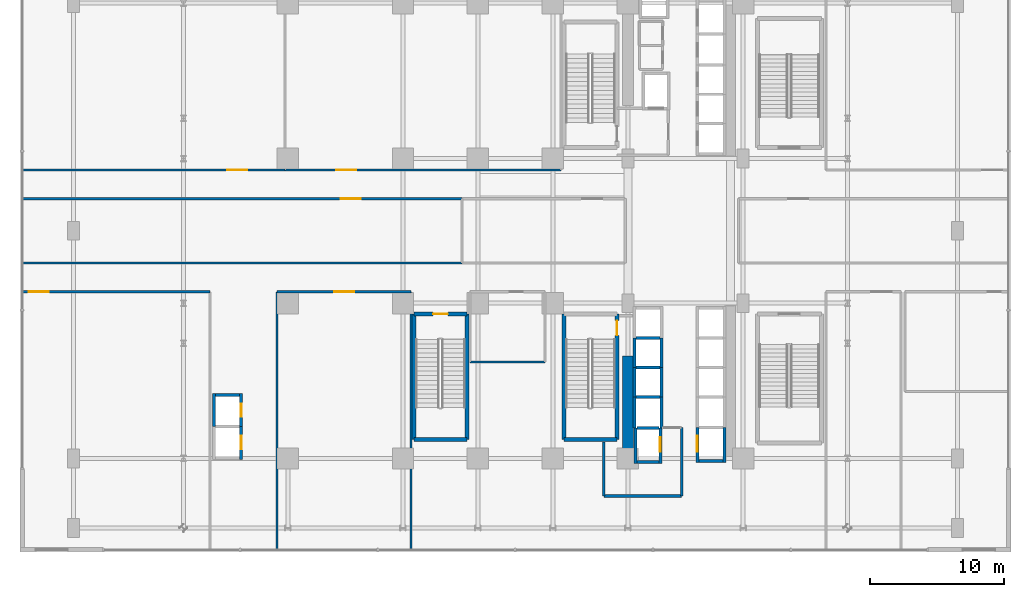
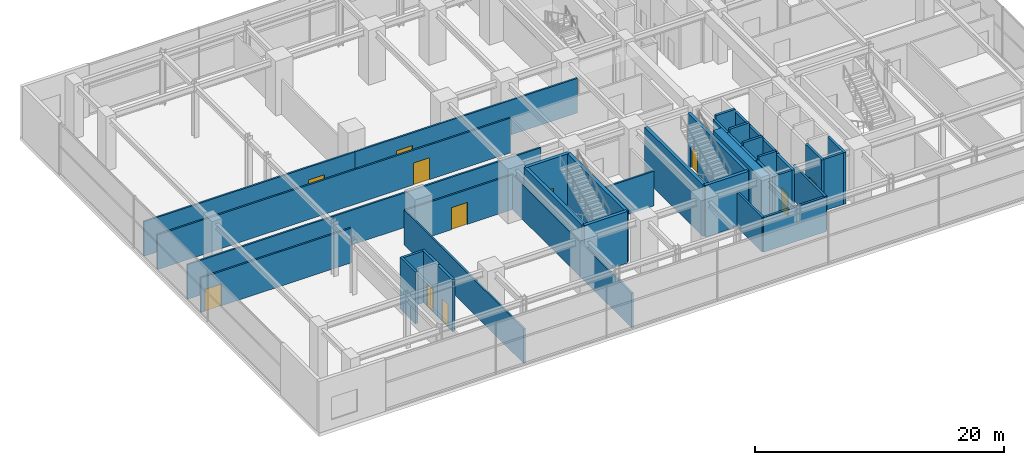
# One storey, part 27 of 32: 40 walls, 11 doors, 11 openings.
"""IFC4 building model written with IfcOpenShell, lengths in metres."""

from ifc_helpers import new_model, si_unit, direction, frame, frame_2d, origin, place, context, subcontext, project, spatial, rectangle, extrude, source, transform, mapped, material, layer, layer_set, type_object, element, fill, save


model = new_model("IFC4")

# Units and contexts
model_context = context("Model", 3, precision=1e-05, world=origin(), true_north=direction((0.0, 1.0)))
body_context = subcontext(model_context, "Body", "Model", "MODEL_VIEW")
ifc_project = project(units=[si_unit("LENGTHUNIT", "METRE"), si_unit("AREAUNIT", "SQUARE_METRE"), si_unit("VOLUMEUNIT", "CUBIC_METRE"), si_unit("PLANEANGLEUNIT", "RADIAN"), si_unit("MASSUNIT", "GRAM", prefix="KILO")], contexts=[model_context])

# Site, building, storey
site_placement = place(None, origin())
site = spatial("IfcSite", under=ifc_project, at=site_placement, CompositionType="ELEMENT")
building_placement = place(site_placement, origin())
building = spatial("IfcBuilding", under=site, at=building_placement, Name="Nahalor Promenade Grand Hotel", CompositionType="ELEMENT")
storey_placement = place(building_placement, frame((0.0, 0.0, 10.800048828125)))
storey = spatial("IfcBuildingStorey", under=building, at=storey_placement, Name="L02", CompositionType="ELEMENT", Elevation=10.800048828125)

# Walls
ifc_material_1 = material(Name="Concrete B-70 (C60/75)", Category="concrete")
ifc_layer_1 = layer(ifc_material_1, 0.800048828125)
ifc_layer_set_1 = layer_set([ifc_layer_1], Name="Concrete B-70 (C60/75)")
wall_type_1 = type_object("IfcWallType", Name="Wall-CoreShear-800", PredefinedType="SHEAR", material=ifc_layer_set_1)
shared_shape_1 = source(origin(), body_context, "Body", "SweptSolid", [
    extrude(rectangle(XDim=7.64990234375, YDim=0.800048828125, at=frame_2d((3.824951171875, 0.0))), origin(), (0.0, 0.0, 1.0), 5.06005859375),
])
wall_1_placement = place(storey_placement, frame((8.39990234375, -17.0, 0.0), z_axis=(0.0, 0.0, 1.0), x_axis=(0.0, 1.0, 0.0)))
element("IfcWall", 1, at=wall_1_placement, inside=storey, type_object=wall_type_1, Name="CWALL-L02-SW", PredefinedType="SHEAR", context=body_context, shape_type="MappedRepresentation", body=[
    mapped(shared_shape_1, transform((0.0, 0.0, 0.0), scale=1.0)),
])
ifc_material_2 = material(Name="Concrete B-50 (C40/50)", Category="concrete")
ifc_layer_2 = layer(ifc_material_2, 0.300048828125)
ifc_layer_set_2 = layer_set([ifc_layer_2], Name="Concrete B-50 (C40/50)")
wall_type_2 = type_object("IfcWallType", Name="Wall-ShaftShear-300", PredefinedType="SHEAR", material=ifc_layer_set_2)
shared_shape_2 = source(origin(), body_context, "Body", "SweptSolid", [
    extrude(rectangle(XDim=3.97998046875, YDim=0.300048828125, at=frame_2d((1.989990234375, 0.0))), origin(), (0.0, 0.0, 1.0), 5.06005859375),
])
for number, where, z_axis, x_axis, name in (
    (2, (3.610107421875, -15.590087890625, 0.0), (0.0, 0.0, 1.0), (1.0, 0.0, 0.0), "L02 Exit Stair ST2 Shaft Wall S"),
    (3, (-7.590087890625, -15.590087890625, 0.0), (0.0, 0.0, 1.0), (1.0, 0.0, 0.0), "L02 Exit Stair ST3 Shaft Wall S"),
):
    element("IfcWall", number, at=place(storey_placement, frame(where, z_axis=z_axis, x_axis=x_axis)), inside=storey, type_object=wall_type_2, Name=name, PredefinedType="SHEAR", context=body_context, shape_type="MappedRepresentation", body=[
        mapped(shared_shape_2, transform((0.0, 0.0, 0.0), scale=1.0)),
    ])

# Wall, opening, door
wall_2_placement = place(storey_placement, frame((-7.590087890625, -6.2099609375, 0.0), z_axis=(0.0, 0.0, 1.0), x_axis=(1.0, 0.0, 0.0)))
wall_2 = element("IfcWall", 4, at=wall_2_placement, inside=storey, type_object=wall_type_2, Name="L02 Exit Stair ST3 Shaft Wall N", PredefinedType="SHEAR", context=body_context, shape_type="MappedRepresentation", body=[
    mapped(shared_shape_2, transform((0.0, 0.0, 0.0), scale=1.0)),
])
opening_1_placement = place(wall_2_placement, frame((1.43994140625, 0.0, 0.0)))
opening_1 = element("IfcOpeningElement", 5, at=opening_1_placement, cuts=wall_2, Name="Opening D-ST1", PredefinedType="OPENING", context=body_context, shape_type="SweptSolid", body=[
    extrude(rectangle(XDim=1.10009765625, YDim=2.14990234375, at=frame_2d((0.550048828125, 1.074951171875))), frame((0.0, 0.159912109375, 0.0), z_axis=(0.0, -1.0, 0.0), x_axis=(1.0, 0.0, 0.0)), (0.0, 0.0, 1.0), 0.320068359375),
])
ifc_material_3 = material(Name="Steel S355JR", Category="steel")
door_type_1 = type_object("IfcDoorType", Name="Door-StairFire-1100", OperationType="NOTDEFINED", PredefinedType="DOOR", material=ifc_material_3)
shared_shape_3 = source(origin(), body_context, "Body", "SweptSolid", [
    extrude(rectangle(XDim=1.10009765625, YDim=2.14990234375, at=frame_2d((0.550048828125, 1.074951171875))), frame((0.0, 0.02490234375, 0.0), z_axis=(0.0, -1.0, 0.0), x_axis=(1.0, 0.0, 0.0)), (0.0, 0.0, 1.0), 0.050048828125),
])
door_1_placement = place(opening_1_placement, frame((1.10009765625, 0.0, 0.0), z_axis=(0.0, 0.0, 1.0), x_axis=(-1.0, 0.0, 0.0)))
door_1 = element("IfcDoor", 6, at=door_1_placement, inside=storey, type_object=door_type_1, Name="DR-STAIR-ST3-L02", OperationType="SINGLE_SWING_LEFT", OverallHeight=2.14990234375, OverallWidth=1.10009765625, PredefinedType="DOOR", context=body_context, shape_type="MappedRepresentation", body=[
    mapped(shared_shape_3, transform((0.0, 0.0, 0.0), scale=1.0)),
])
fill(opening_1, door_1)

# Wall
shared_shape_4 = source(origin(), body_context, "Body", "SweptSolid", [
    extrude(rectangle(XDim=9.380126953125, YDim=0.300048828125, at=frame_2d((4.68994140625, 0.0))), origin(), (0.0, 0.0, 1.0), 5.06005859375),
])
wall_3_placement = place(storey_placement, frame((3.610107421875, -15.590087890625, 0.0), z_axis=(0.0, 0.0, 1.0), x_axis=(0.0, 1.0, 0.0)))
element("IfcWall", 7, at=wall_3_placement, inside=storey, type_object=wall_type_2, Name="L02 Exit Stair ST2 Shaft Wall W", PredefinedType="SHEAR", context=body_context, shape_type="MappedRepresentation", body=[
    mapped(shared_shape_4, transform((0.0, 0.0, 0.0), scale=1.0)),
])

# Wall, opening, door
wall_4_placement = place(storey_placement, frame((7.590087890625, -15.590087890625, 0.0), z_axis=(0.0, 0.0, 1.0), x_axis=(0.0, 1.0, 0.0)))
wall_4 = element("IfcWall", 8, at=wall_4_placement, inside=storey, type_object=wall_type_2, Name="L02 Exit Stair ST2 Shaft Wall E", PredefinedType="SHEAR", context=body_context, shape_type="MappedRepresentation", body=[
    mapped(shared_shape_4, transform((0.0, 0.0, 0.0), scale=1.0)),
])
opening_2_placement = place(wall_4_placement, frame((7.7900390625, 0.0, 0.0)))
opening_2 = element("IfcOpeningElement", 9, at=opening_2_placement, cuts=wall_4, Name="Opening D-ST1", PredefinedType="OPENING", context=body_context, shape_type="SweptSolid", body=[
    extrude(rectangle(XDim=1.10009765625, YDim=2.14990234375, at=frame_2d((0.550048828125, 1.074951171875))), frame((0.0, 0.159912109375, 0.0), z_axis=(0.0, -1.0, 0.0), x_axis=(1.0, 0.0, 0.0)), (0.0, 0.0, 1.0), 0.320068359375),
])
door_2_placement = place(opening_2_placement, origin())
door_2 = element("IfcDoor", 10, at=door_2_placement, inside=storey, type_object=door_type_1, Name="DR-STAIR-ST2-L02", OperationType="SINGLE_SWING_LEFT", OverallHeight=2.14990234375, OverallWidth=1.10009765625, PredefinedType="DOOR", context=body_context, shape_type="MappedRepresentation", body=[
    mapped(shared_shape_3, transform((0.0, 0.0, 0.0), scale=1.0)),
])
fill(opening_2, door_2)

# Walls
for number, where, z_axis, x_axis, name in (
    (11, (-7.590087890625, -15.590087890625, 0.0), (0.0, 0.0, 1.0), (0.0, 1.0, 0.0), "L02 Exit Stair ST3 Shaft Wall W"),
    (12, (-3.610107421875, -15.590087890625, 0.0), (0.0, 0.0, 1.0), (0.0, 1.0, 0.0), "L02 Exit Stair ST3 Shaft Wall E"),
):
    element("IfcWall", number, at=place(storey_placement, frame(where, z_axis=z_axis, x_axis=x_axis)), inside=storey, type_object=wall_type_2, Name=name, PredefinedType="SHEAR", context=body_context, shape_type="MappedRepresentation", body=[
        mapped(shared_shape_4, transform((0.0, 0.0, 0.0), scale=1.0)),
    ])
ifc_layer_3 = layer(ifc_material_2, 0.219970703125)
ifc_layer_set_3 = layer_set([ifc_layer_3], Name="Concrete B-50 (C40/50)")
wall_type_3 = type_object("IfcWallType", Name="Wall-LiftShaft-220", PredefinedType="SHEAR", material=ifc_layer_set_3)
shared_shape_5 = source(origin(), body_context, "Body", "SweptSolid", [
    extrude(rectangle(XDim=1.820068359375, YDim=0.219970703125, at=frame_2d((0.91015625, 0.0))), origin(), (0.0, 0.0, 1.0), 5.39990234375),
])
for number, where, z_axis, x_axis, name in (
    (13, (8.989990234375, -8.0, 0.0), (0.0, 0.0, 1.0), (1.0, 0.0, 0.0), "L02 Lift PL10 Hoistway Wall N"),
    (14, (8.989990234375, -10.199951171875, 0.0), (0.0, 0.0, 1.0), (1.0, 0.0, 0.0), "L02 Lift PL11 Hoistway Wall N"),
    (15, (8.989990234375, -12.39990234375, 0.0), (0.0, 0.0, 1.0), (1.0, 0.0, 0.0), "L02 Lift PL12 Hoistway Wall N"),
):
    element("IfcWall", number, at=place(storey_placement, frame(where, z_axis=z_axis, x_axis=x_axis)), inside=storey, type_object=wall_type_3, Name=name, PredefinedType="SHEAR", context=body_context, shape_type="MappedRepresentation", body=[
        mapped(shared_shape_5, transform((0.0, 0.0, 0.0), scale=1.0)),
    ])
shared_shape_6 = source(origin(), body_context, "Body", "SweptSolid", [
    extrude(rectangle(XDim=1.820068359375, YDim=0.219970703125, at=frame_2d((0.91015625, 0.0))), origin(), (0.0, 0.0, 1.0), 5.06005859375),
])
wall_5_placement = place(storey_placement, frame((13.68994140625, -17.199951171875, 0.0), z_axis=(0.0, 0.0, 1.0), x_axis=(1.0, 0.0, 0.0)))
element("IfcWall", 16, at=wall_5_placement, inside=storey, type_object=wall_type_3, Name="L02 Lift SV2 Hoistway Wall S", PredefinedType="SHEAR", context=body_context, shape_type="MappedRepresentation", body=[
    mapped(shared_shape_6, transform((0.0, 0.0, 0.0), scale=1.0)),
])
shared_shape_7 = source(origin(), body_context, "Body", "SweptSolid", [
    extrude(rectangle(XDim=2.199951171875, YDim=0.219970703125, at=frame_2d((1.10009765625, 0.0))), origin(), (0.0, 0.0, 1.0), 5.06005859375),
])
for number, where, z_axis, x_axis, name in (
    (17, (8.8798828125, -10.199951171875, 0.0), (0.0, 0.0, 1.0), (0.0, 1.0, 0.0), "L02 Lift PL10 Hoistway Wall W"),
    (18, (10.919921875, -10.199951171875, 0.0), (0.0, 0.0, 1.0), (0.0, 1.0, 0.0), "L02 Lift PL10 Hoistway Wall E"),
    (19, (8.8798828125, -12.39990234375, 0.0), (0.0, 0.0, 1.0), (0.0, 1.0, 0.0), "L02 Lift PL11 Hoistway Wall W"),
    (20, (10.919921875, -12.39990234375, 0.0), (0.0, 0.0, 1.0), (0.0, 1.0, 0.0), "L02 Lift PL11 Hoistway Wall E"),
):
    element("IfcWall", number, at=place(storey_placement, frame(where, z_axis=z_axis, x_axis=x_axis)), inside=storey, type_object=wall_type_3, Name=name, PredefinedType="SHEAR", context=body_context, shape_type="MappedRepresentation", body=[
        mapped(shared_shape_7, transform((0.0, 0.0, 0.0), scale=1.0)),
    ])
shared_shape_8 = source(origin(), body_context, "Body", "SweptSolid", [
    extrude(rectangle(XDim=2.3251953125, YDim=0.219970703125, at=frame_2d((1.16259765625, 0.0))), origin(), (0.0, 0.0, 1.0), 5.06005859375),
])
for number, where, z_axis, x_axis, name in (
    (21, (8.8798828125, -14.72509765625, 0.0), (0.0, 0.0, 1.0), (0.0, 1.0, 0.0), "L02 Lift PL12 Hoistway Wall W"),
    (22, (10.919921875, -14.72509765625, 0.0), (0.0, 0.0, 1.0), (0.0, 1.0, 0.0), "L02 Lift PL12 Hoistway Wall E"),
):
    element("IfcWall", number, at=place(storey_placement, frame(where, z_axis=z_axis, x_axis=x_axis)), inside=storey, type_object=wall_type_3, Name=name, PredefinedType="SHEAR", context=body_context, shape_type="MappedRepresentation", body=[
        mapped(shared_shape_8, transform((0.0, 0.0, 0.0), scale=1.0)),
    ])
shared_shape_9 = source(origin(), body_context, "Body", "SweptSolid", [
    extrude(rectangle(XDim=1.619873046875, YDim=0.219970703125, at=frame_2d((0.81005859375, 0.0))), origin(), (0.0, 0.0, 1.0), 5.39990234375),
])
wall_6_placement = place(storey_placement, frame((9.090087890625, -14.72509765625, 0.0), z_axis=(0.0, 0.0, 1.0), x_axis=(1.0, 0.0, 0.0)))
element("IfcWall", 23, at=wall_6_placement, inside=storey, type_object=wall_type_3, Name="L02 Lift FL2 Hoistway Wall N", PredefinedType="SHEAR", context=body_context, shape_type="MappedRepresentation", body=[
    mapped(shared_shape_9, transform((0.0, 0.0, 0.0), scale=1.0)),
])
shared_shape_10 = source(origin(), body_context, "Body", "SweptSolid", [
    extrude(rectangle(XDim=2.635009765625, YDim=0.219970703125, at=frame_2d((1.3173828125, 0.0))), origin(), (0.0, 0.0, 1.0), 5.06005859375),
])
wall_7_placement = place(storey_placement, frame((8.97998046875, -17.360107421875, 0.0), z_axis=(0.0, 0.0, 1.0), x_axis=(0.0, 1.0, 0.0)))
element("IfcWall", 24, at=wall_7_placement, inside=storey, type_object=wall_type_3, Name="L02 Lift FL2 Hoistway Wall W", PredefinedType="SHEAR", context=body_context, shape_type="MappedRepresentation", body=[
    mapped(shared_shape_10, transform((0.0, 0.0, 0.0), scale=1.0)),
])

# Wall, opening, door
wall_8_placement = place(storey_placement, frame((10.820068359375, -17.360107421875, 0.0), z_axis=(0.0, 0.0, 1.0), x_axis=(0.0, 1.0, 0.0)))
wall_8 = element("IfcWall", 25, at=wall_8_placement, inside=storey, type_object=wall_type_3, Name="L02 Lift FL2 Hoistway Wall E", PredefinedType="SHEAR", context=body_context, shape_type="MappedRepresentation", body=[
    mapped(shared_shape_10, transform((0.0, 0.0, 0.0), scale=1.0)),
])
opening_3_placement = place(wall_8_placement, frame((0.860107421875, 0.0, 0.0)))
opening_3 = element("IfcOpeningElement", 26, at=opening_3_placement, cuts=wall_8, Name="Opening LD-02", PredefinedType="OPENING", context=body_context, shape_type="SweptSolid", body=[
    extrude(rectangle(XDim=1.10009765625, YDim=2.199951171875, at=frame_2d((0.550048828125, 1.10009765625))), frame((0.0, 0.119873046875, 0.0), z_axis=(0.0, -1.0, 0.0), x_axis=(1.0, 0.0, 0.0)), (0.0, 0.0, 1.0), 0.239990234375),
])
door_type_2 = type_object("IfcDoorType", Name="Door-LiftFF-1100", OperationType="DOUBLE_DOOR_SLIDING", PredefinedType="DOOR", material=ifc_material_3)
shared_shape_11 = source(origin(), body_context, "Body", "SweptSolid", [
    extrude(rectangle(XDim=1.10009765625, YDim=2.199951171875, at=frame_2d((0.550048828125, 1.10009765625))), frame((0.0, 0.02490234375, 0.0), z_axis=(0.0, -1.0, 0.0), x_axis=(1.0, 0.0, 0.0)), (0.0, 0.0, 1.0), 0.050048828125),
])
door_3_placement = place(opening_3_placement, frame((1.10009765625, 0.0, 0.0), z_axis=(0.0, 0.0, 1.0), x_axis=(-1.0, 0.0, 0.0)))
door_3 = element("IfcDoor", 27, at=door_3_placement, inside=storey, type_object=door_type_2, Name="DR-LIFT-FL2-L02", OperationType="DOUBLE_DOOR_SLIDING", OverallHeight=2.199951171875, OverallWidth=1.10009765625, PredefinedType="DOOR", context=body_context, shape_type="MappedRepresentation", body=[
    mapped(shared_shape_11, transform((0.0, 0.0, 0.0), scale=1.0)),
])
fill(opening_3, door_3)

# Wall
shared_shape_12 = source(origin(), body_context, "Body", "SweptSolid", [
    extrude(rectangle(XDim=1.619873046875, YDim=0.219970703125, at=frame_2d((0.81005859375, 0.0))), origin(), (0.0, 0.0, 1.0), 5.06005859375),
])
wall_9_placement = place(storey_placement, frame((9.090087890625, -17.25, 0.0), z_axis=(0.0, 0.0, 1.0), x_axis=(1.0, 0.0, 0.0)))
element("IfcWall", 28, at=wall_9_placement, inside=storey, type_object=wall_type_3, Name="L02 Lift FL2 Hoistway Wall S", PredefinedType="SHEAR", context=body_context, shape_type="MappedRepresentation", body=[
    mapped(shared_shape_12, transform((0.0, 0.0, 0.0), scale=1.0)),
])

# Wall, opening, door
shared_shape_13 = source(origin(), body_context, "Body", "SweptSolid", [
    extrude(rectangle(XDim=2.610107421875, YDim=0.219970703125, at=frame_2d((1.30517578125, 0.0))), origin(), (0.0, 0.0, 1.0), 5.06005859375),
])
wall_10_placement = place(storey_placement, frame((13.580078125, -17.31005859375, 0.0), z_axis=(0.0, 0.0, 1.0), x_axis=(0.0, 1.0, 0.0)))
wall_10 = element("IfcWall", 29, at=wall_10_placement, inside=storey, type_object=wall_type_3, Name="L02 Lift SV2 Hoistway Wall W", PredefinedType="SHEAR", context=body_context, shape_type="MappedRepresentation", body=[
    mapped(shared_shape_13, transform((0.0, 0.0, 0.0), scale=1.0)),
])
opening_4_placement = place(wall_10_placement, frame((0.81005859375, 0.0, 0.0)))
opening_4 = element("IfcOpeningElement", 30, at=opening_4_placement, cuts=wall_10, Name="Opening LD-03", PredefinedType="OPENING", context=body_context, shape_type="SweptSolid", body=[
    extrude(rectangle(XDim=1.199951171875, YDim=2.199951171875, at=frame_2d((0.60009765625, 1.10009765625))), frame((0.0, 0.119873046875, 0.0), z_axis=(0.0, -1.0, 0.0), x_axis=(1.0, 0.0, 0.0)), (0.0, 0.0, 1.0), 0.239990234375),
])
door_type_3 = type_object("IfcDoorType", Name="Door-LiftService-1200", OperationType="DOUBLE_DOOR_SLIDING", PredefinedType="DOOR", material=ifc_material_3)
shared_shape_14 = source(origin(), body_context, "Body", "SweptSolid", [
    extrude(rectangle(XDim=1.199951171875, YDim=2.199951171875, at=frame_2d((0.60009765625, 1.10009765625))), frame((0.0, 0.02490234375, 0.0), z_axis=(0.0, -1.0, 0.0), x_axis=(1.0, 0.0, 0.0)), (0.0, 0.0, 1.0), 0.050048828125),
])
door_4_placement = place(opening_4_placement, origin())
door_4 = element("IfcDoor", 31, at=door_4_placement, inside=storey, type_object=door_type_3, Name="DR-LIFT-SV2-L02", OperationType="DOUBLE_DOOR_SLIDING", OverallHeight=2.199951171875, OverallWidth=1.199951171875, PredefinedType="DOOR", context=body_context, shape_type="MappedRepresentation", body=[
    mapped(shared_shape_14, transform((0.0, 0.0, 0.0), scale=1.0)),
])
fill(opening_4, door_4)

# Wall
wall_11_placement = place(storey_placement, frame((15.6201171875, -17.31005859375, 0.0), z_axis=(0.0, 0.0, 1.0), x_axis=(0.0, 1.0, 0.0)))
element("IfcWall", 32, at=wall_11_placement, inside=storey, type_object=wall_type_3, Name="L02 Lift SV2 Hoistway Wall E", PredefinedType="SHEAR", context=body_context, shape_type="MappedRepresentation", body=[
    mapped(shared_shape_13, transform((0.0, 0.0, 0.0), scale=1.0)),
])

# Wall, opening, door
shared_shape_15 = source(origin(), body_context, "Body", "SweptSolid", [
    extrude(rectangle(XDim=2.4599609375, YDim=0.219970703125, at=frame_2d((1.22998046875, 0.0))), origin(), (0.0, 0.0, 1.0), 5.06005859375),
])
wall_12_placement = place(storey_placement, frame((-20.47998046875, -17.06005859375, 0.0), z_axis=(0.0, 0.0, 1.0), x_axis=(0.0, 1.0, 0.0)))
wall_12 = element("IfcWall", 33, at=wall_12_placement, inside=storey, type_object=wall_type_3, Name="L02 Lift PD1 Hoistway Wall E", PredefinedType="SHEAR", context=body_context, shape_type="MappedRepresentation", body=[
    mapped(shared_shape_15, transform((0.0, 0.0, 0.0), scale=1.0)),
])
opening_5_placement = place(wall_12_placement, frame((0.760009765625, 0.0, 0.0)))
opening_5 = element("IfcOpeningElement", 34, at=opening_5_placement, cuts=wall_12, Name="Opening LD-01", PredefinedType="OPENING", context=body_context, shape_type="SweptSolid", body=[
    extrude(rectangle(XDim=1.0, YDim=2.199951171875, at=frame_2d((0.5, 1.10009765625))), frame((0.0, 0.119873046875, 0.0), z_axis=(0.0, -1.0, 0.0), x_axis=(1.0, 0.0, 0.0)), (0.0, 0.0, 1.0), 0.239990234375),
])
door_type_4 = type_object("IfcDoorType", Name="Door-LiftLanding-1000", OperationType="DOUBLE_DOOR_SLIDING", PredefinedType="DOOR", material=ifc_material_3)
shared_shape_16 = source(origin(), body_context, "Body", "SweptSolid", [
    extrude(rectangle(XDim=1.0, YDim=2.199951171875, at=frame_2d((0.5, 1.10009765625))), frame((0.0, 0.02490234375, 0.0), z_axis=(0.0, -1.0, 0.0), x_axis=(1.0, 0.0, 0.0)), (0.0, 0.0, 1.0), 0.050048828125),
])
door_5_placement = place(opening_5_placement, frame((1.0, 0.0, 0.0), z_axis=(0.0, 0.0, 1.0), x_axis=(-1.0, 0.0, 0.0)))
door_5 = element("IfcDoor", 35, at=door_5_placement, inside=storey, type_object=door_type_4, Name="DR-LIFT-PD1-L02", OperationType="DOUBLE_DOOR_SLIDING", OverallHeight=2.199951171875, OverallWidth=1.0, PredefinedType="DOOR", context=body_context, shape_type="MappedRepresentation", body=[
    mapped(shared_shape_16, transform((0.0, 0.0, 0.0), scale=1.0)),
])
fill(opening_5, door_5)

# Walls
shared_shape_17 = source(origin(), body_context, "Body", "SweptSolid", [
    extrude(rectangle(XDim=1.81982421875, YDim=0.219970703125, at=frame_2d((0.909912109375, 0.0))), origin(), (0.0, 0.0, 1.0), 5.06005859375),
])
wall_13_placement = place(storey_placement, frame((-22.409912109375, -12.25, 0.0), z_axis=(0.0, 0.0, 1.0), x_axis=(1.0, 0.0, 0.0)))
element("IfcWall", 36, at=wall_13_placement, inside=storey, type_object=wall_type_3, Name="L02 Lift PD2 Hoistway Wall N", PredefinedType="SHEAR", context=body_context, shape_type="MappedRepresentation", body=[
    mapped(shared_shape_17, transform((0.0, 0.0, 0.0), scale=1.0)),
])
shared_shape_18 = source(origin(), body_context, "Body", "SweptSolid", [
    extrude(rectangle(XDim=2.460205078125, YDim=0.219970703125, at=frame_2d((1.22998046875, 0.0))), origin(), (0.0, 0.0, 1.0), 5.06005859375),
])
wall_14_placement = place(storey_placement, frame((-22.52001953125, -14.60009765625, 0.0), z_axis=(0.0, 0.0, 1.0), x_axis=(0.0, 1.0, 0.0)))
element("IfcWall", 37, at=wall_14_placement, inside=storey, type_object=wall_type_3, Name="L02 Lift PD2 Hoistway Wall W", PredefinedType="SHEAR", context=body_context, shape_type="MappedRepresentation", body=[
    mapped(shared_shape_18, transform((0.0, 0.0, 0.0), scale=1.0)),
])

# Wall, opening, door
wall_15_placement = place(storey_placement, frame((-20.47998046875, -14.60009765625, 0.0), z_axis=(0.0, 0.0, 1.0), x_axis=(0.0, 1.0, 0.0)))
wall_15 = element("IfcWall", 38, at=wall_15_placement, inside=storey, type_object=wall_type_3, Name="L02 Lift PD2 Hoistway Wall E", PredefinedType="SHEAR", context=body_context, shape_type="MappedRepresentation", body=[
    mapped(shared_shape_18, transform((0.0, 0.0, 0.0), scale=1.0)),
])
opening_6_placement = place(wall_15_placement, frame((0.699951171875, 0.0, 0.0)))
opening_6 = element("IfcOpeningElement", 39, at=opening_6_placement, cuts=wall_15, Name="Opening LD-01", PredefinedType="OPENING", context=body_context, shape_type="SweptSolid", body=[
    extrude(rectangle(XDim=1.0, YDim=2.199951171875, at=frame_2d((0.5, 1.10009765625))), frame((0.0, 0.119873046875, 0.0), z_axis=(0.0, -1.0, 0.0), x_axis=(1.0, 0.0, 0.0)), (0.0, 0.0, 1.0), 0.239990234375),
])
door_6_placement = place(opening_6_placement, frame((1.0, 0.0, 0.0), z_axis=(0.0, 0.0, 1.0), x_axis=(-1.0, 0.0, 0.0)))
door_6 = element("IfcDoor", 40, at=door_6_placement, inside=storey, type_object=door_type_4, Name="DR-LIFT-PD2-L02", OperationType="DOUBLE_DOOR_SLIDING", OverallHeight=2.199951171875, OverallWidth=1.0, PredefinedType="DOOR", context=body_context, shape_type="MappedRepresentation", body=[
    mapped(shared_shape_16, transform((0.0, 0.0, 0.0), scale=1.0)),
])
fill(opening_6, door_6)

# Walls
ifc_material_4 = material(Name="Concrete B-40 (C32/40)", Category="concrete")
ifc_layer_4 = layer(ifc_material_4, 0.199951171875)
ifc_layer_set_4 = layer_set([ifc_layer_4], Name="Concrete B-40 (C32/40)")
wall_type_4 = type_object("IfcWallType", Name="Wall-PartFire-200", PredefinedType="PARTITIONING", material=ifc_layer_set_4)
shared_shape_19 = source(origin(), body_context, "Body", "SweptSolid", [
    extrude(rectangle(XDim=5.81982421875, YDim=0.199951171875, at=frame_2d((2.909912109375, 0.0))), origin(), (0.0, 0.0, 1.0), 3.39990234375),
])
wall_16_placement = place(storey_placement, frame((6.60009765625, -19.800048828125, 0.0), z_axis=(0.0, 0.0, 1.0), x_axis=(1.0, 0.0, 0.0)))
element("IfcWall", 41, at=wall_16_placement, inside=storey, type_object=wall_type_4, Name="W-L02-FF2-S1", PredefinedType="PARTITIONING", context=body_context, shape_type="MappedRepresentation", body=[
    mapped(shared_shape_19, transform((0.0, 0.0, 0.0), scale=1.0)),
])
shared_shape_20 = source(origin(), body_context, "Body", "SweptSolid", [
    extrude(rectangle(XDim=4.030029296875, YDim=0.199951171875, at=frame_2d((2.01513671875, 0.0))), origin(), (0.0, 0.0, 1.0), 3.39990234375),
])
wall_17_placement = place(storey_placement, frame((6.60009765625, -19.800048828125, 0.0), z_axis=(0.0, 0.0, 1.0), x_axis=(0.0, 1.0, 0.0)))
element("IfcWall", 42, at=wall_17_placement, inside=storey, type_object=wall_type_4, Name="W-L02-FF2-W1", PredefinedType="PARTITIONING", context=body_context, shape_type="MappedRepresentation", body=[
    mapped(shared_shape_20, transform((0.0, 0.0, 0.0), scale=1.0)),
])
shared_shape_21 = source(origin(), body_context, "Body", "SweptSolid", [
    extrude(rectangle(XDim=5.10009765625, YDim=0.199951171875, at=frame_2d((2.550048828125, 0.0))), origin(), (0.0, 0.0, 1.0), 3.39990234375),
])
wall_18_placement = place(storey_placement, frame((12.419921875, -19.800048828125, 0.0), z_axis=(0.0, 0.0, 1.0), x_axis=(0.0, 1.0, 0.0)))
element("IfcWall", 43, at=wall_18_placement, inside=storey, type_object=wall_type_4, Name="W-L02-FF2-E", PredefinedType="PARTITIONING", context=body_context, shape_type="MappedRepresentation", body=[
    mapped(shared_shape_21, transform((0.0, 0.0, 0.0), scale=1.0)),
])
ifc_material_5 = material(Name="Acoustic Mineral Gypsum", Category="gypsum")
ifc_layer_5 = layer(ifc_material_5, 0.159912109375)
ifc_layer_set_5 = layer_set([ifc_layer_5], Name="Acoustic Mineral Gypsum")
wall_type_5 = type_object("IfcWallType", Name="Wall-PartCorridor-160", PredefinedType="PARTITIONING", material=ifc_layer_set_5)
shared_shape_22 = source(origin(), body_context, "Body", "SweptSolid", [
    extrude(rectangle(XDim=19.2099609375, YDim=0.159912109375, at=frame_2d((9.60498046875, 0.0))), origin(), (0.0, 0.0, 1.0), 3.39990234375),
])
for number, where, z_axis, x_axis, name in (
    (44, (-17.800048828125, -23.760009765625, 0.0), (0.0, 0.0, 1.0), (0.0, 1.0, 0.0), "W-L02-PR05-W"),
    (45, (-7.800048828125, -23.760009765625, 0.0), (0.0, 0.0, 1.0), (0.0, 1.0, 0.0), "W-L02-PR05-E"),
):
    element("IfcWall", number, at=place(storey_placement, frame(where, z_axis=z_axis, x_axis=x_axis)), inside=storey, type_object=wall_type_5, Name=name, PredefinedType="PARTITIONING", context=body_context, shape_type="MappedRepresentation", body=[
        mapped(shared_shape_22, transform((0.0, 0.0, 0.0), scale=1.0)),
    ])
shared_shape_23 = source(origin(), body_context, "Body", "SweptSolid", [
    extrude(rectangle(XDim=5.599853515625, YDim=0.159912109375, at=frame_2d((2.7998046875, 0.0))), origin(), (0.0, 0.0, 1.0), 3.39990234375),
])
wall_19_placement = place(storey_placement, frame((-3.39990234375, -9.800048828125, 0.0), z_axis=(0.0, 0.0, 1.0), x_axis=(1.0, 0.0, 0.0)))
element("IfcWall", 46, at=wall_19_placement, inside=storey, type_object=wall_type_5, Name="W-L02-PR11-S", PredefinedType="PARTITIONING", context=body_context, shape_type="MappedRepresentation", body=[
    mapped(shared_shape_23, transform((0.0, 0.0, 0.0), scale=1.0)),
])

# Wall, opening, door
shared_shape_24 = source(origin(), body_context, "Body", "SweptSolid", [
    extrude(rectangle(XDim=19.56005859375, YDim=0.159912109375, at=frame_2d((9.780029296875, 0.0))), origin(), (0.0, 0.0, 1.0), 3.39990234375),
])
wall_20_placement = place(storey_placement, frame((-36.760009765625, 4.550048828125, 0.0), z_axis=(0.0, 0.0, 1.0), x_axis=(1.0, 0.0, 0.0)))
wall_20 = element("IfcWall", 47, at=wall_20_placement, inside=storey, type_object=wall_type_5, Name="W-L02-PR01-S", PredefinedType="PARTITIONING", context=body_context, shape_type="MappedRepresentation", body=[
    mapped(shared_shape_24, transform((0.0, 0.0, 0.0), scale=1.0)),
])
opening_7_placement = place(wall_20_placement, frame((15.220947265625, 0.0, 0.0)))
opening_7 = element("IfcOpeningElement", 48, at=opening_7_placement, cuts=wall_20, Name="Opening D-02", PredefinedType="OPENING", context=body_context, shape_type="SweptSolid", body=[
    extrude(rectangle(XDim=1.5, YDim=2.14990234375, at=frame_2d((0.75, 1.074951171875))), frame((0.0, 0.08984375, 0.0), z_axis=(0.0, -1.0, 0.0), x_axis=(1.0, 0.0, 0.0)), (0.0, 0.0, 1.0), 0.179931640625),
])
ifc_material_6 = material(Name="Fire-Rated Timber Composite", Category="wood")
door_type_5 = type_object("IfcDoorType", Name="Door-SuiteDouble-1500", OperationType="DOUBLE_DOOR_SINGLE_SWING", PredefinedType="DOOR", material=ifc_material_6)
shared_shape_25 = source(origin(), body_context, "Body", "SweptSolid", [
    extrude(rectangle(XDim=1.5, YDim=2.14990234375, at=frame_2d((0.75, 1.074951171875))), frame((0.0, 0.02490234375, 0.0), z_axis=(0.0, -1.0, 0.0), x_axis=(1.0, 0.0, 0.0)), (0.0, 0.0, 1.0), 0.050048828125),
])
door_7_placement = place(opening_7_placement, origin())
door_7 = element("IfcDoor", 49, at=door_7_placement, inside=storey, type_object=door_type_5, Name="DR-L02-PR01", OperationType="DOUBLE_DOOR_SINGLE_SWING", OverallHeight=2.14990234375, OverallWidth=1.5, PredefinedType="DOOR", context=body_context, shape_type="MappedRepresentation", body=[
    mapped(shared_shape_25, transform((0.0, 0.0, 0.0), scale=1.0)),
])
fill(opening_7, door_7)

shared_shape_26 = source(origin(), body_context, "Body", "SweptSolid", [
    extrude(rectangle(XDim=20.599853515625, YDim=0.159912109375, at=frame_2d((10.2998046875, 0.0))), origin(), (0.0, 0.0, 1.0), 3.39990234375),
])
wall_21_placement = place(storey_placement, frame((-17.199951171875, 4.550048828125, 0.0), z_axis=(0.0, 0.0, 1.0), x_axis=(1.0, 0.0, 0.0)))
wall_21 = element("IfcWall", 50, at=wall_21_placement, inside=storey, type_object=wall_type_5, Name="W-L02-PR02-S", PredefinedType="PARTITIONING", context=body_context, shape_type="MappedRepresentation", body=[
    mapped(shared_shape_26, transform((0.0, 0.0, 0.0), scale=1.0)),
])
opening_8_placement = place(wall_21_placement, frame((3.81591796875, 0.0, 0.0)))
opening_8 = element("IfcOpeningElement", 51, at=opening_8_placement, cuts=wall_21, Name="Opening D-02", PredefinedType="OPENING", context=body_context, shape_type="SweptSolid", body=[
    extrude(rectangle(XDim=1.5, YDim=2.14990234375, at=frame_2d((0.75, 1.074951171875))), frame((0.0, 0.08984375, 0.0), z_axis=(0.0, -1.0, 0.0), x_axis=(1.0, 0.0, 0.0)), (0.0, 0.0, 1.0), 0.179931640625),
])
door_8_placement = place(opening_8_placement, origin())
door_8 = element("IfcDoor", 52, at=door_8_placement, inside=storey, type_object=door_type_5, Name="DR-L02-PR02", OperationType="DOUBLE_DOOR_SINGLE_SWING", OverallHeight=2.14990234375, OverallWidth=1.5, PredefinedType="DOOR", context=body_context, shape_type="MappedRepresentation", body=[
    mapped(shared_shape_25, transform((0.0, 0.0, 0.0), scale=1.0)),
])
fill(opening_8, door_8)

shared_shape_27 = source(origin(), body_context, "Body", "SweptSolid", [
    extrude(rectangle(XDim=13.9599609375, YDim=0.159912109375, at=frame_2d((6.97998046875, 0.0))), origin(), (0.0, 0.0, 1.0), 3.39990234375),
])
wall_22_placement = place(storey_placement, frame((-36.760009765625, -4.550048828125, 0.0), z_axis=(0.0, 0.0, 1.0), x_axis=(1.0, 0.0, 0.0)))
wall_22 = element("IfcWall", 53, at=wall_22_placement, inside=storey, type_object=wall_type_5, Name="W-L02-PR04-N", PredefinedType="PARTITIONING", context=body_context, shape_type="MappedRepresentation", body=[
    mapped(shared_shape_27, transform((0.0, 0.0, 0.0), scale=1.0)),
])
opening_9_placement = place(wall_22_placement, frame((0.39501953125, 0.0, 0.0)))
opening_9 = element("IfcOpeningElement", 54, at=opening_9_placement, cuts=wall_22, Name="Opening D-02", PredefinedType="OPENING", context=body_context, shape_type="SweptSolid", body=[
    extrude(rectangle(XDim=1.5, YDim=2.14990234375, at=frame_2d((0.75, 1.074951171875))), frame((0.0, 0.08984375, 0.0), z_axis=(0.0, -1.0, 0.0), x_axis=(1.0, 0.0, 0.0)), (0.0, 0.0, 1.0), 0.179931640625),
])
door_9_placement = place(opening_9_placement, frame((1.5, 0.0, 0.0), z_axis=(0.0, 0.0, 1.0), x_axis=(-1.0, 0.0, 0.0)))
door_9 = element("IfcDoor", 55, at=door_9_placement, inside=storey, type_object=door_type_5, Name="DR-L02-PR04", OperationType="DOUBLE_DOOR_SINGLE_SWING", OverallHeight=2.14990234375, OverallWidth=1.5, PredefinedType="DOOR", context=body_context, shape_type="MappedRepresentation", body=[
    mapped(shared_shape_25, transform((0.0, 0.0, 0.0), scale=1.0)),
])
fill(opening_9, door_9)

shared_shape_28 = source(origin(), body_context, "Body", "SweptSolid", [
    extrude(rectangle(XDim=10.0, YDim=0.159912109375, at=frame_2d((5.0, 0.0))), origin(), (0.0, 0.0, 1.0), 3.39990234375),
])
wall_23_placement = place(storey_placement, frame((-17.800048828125, -4.550048828125, 0.0), z_axis=(0.0, 0.0, 1.0), x_axis=(1.0, 0.0, 0.0)))
wall_23 = element("IfcWall", 56, at=wall_23_placement, inside=storey, type_object=wall_type_5, Name="W-L02-PR05-N", PredefinedType="PARTITIONING", context=body_context, shape_type="MappedRepresentation", body=[
    mapped(shared_shape_28, transform((0.0, 0.0, 0.0), scale=1.0)),
])
opening_10_placement = place(wall_23_placement, frame((4.25, 0.0, 0.0)))
opening_10 = element("IfcOpeningElement", 57, at=opening_10_placement, cuts=wall_23, Name="Opening D-02", PredefinedType="OPENING", context=body_context, shape_type="SweptSolid", body=[
    extrude(rectangle(XDim=1.5, YDim=2.14990234375, at=frame_2d((0.75, 1.074951171875))), frame((0.0, 0.08984375, 0.0), z_axis=(0.0, -1.0, 0.0), x_axis=(1.0, 0.0, 0.0)), (0.0, 0.0, 1.0), 0.179931640625),
])
door_10_placement = place(opening_10_placement, frame((1.5, 0.0, 0.0), z_axis=(0.0, 0.0, 1.0), x_axis=(-1.0, 0.0, 0.0)))
door_10 = element("IfcDoor", 58, at=door_10_placement, inside=storey, type_object=door_type_5, Name="DR-L02-PR05", OperationType="DOUBLE_DOOR_SINGLE_SWING", OverallHeight=2.14990234375, OverallWidth=1.5, PredefinedType="DOOR", context=body_context, shape_type="MappedRepresentation", body=[
    mapped(shared_shape_25, transform((0.0, 0.0, 0.0), scale=1.0)),
])
fill(opening_10, door_10)

# Wall
shared_shape_29 = source(origin(), body_context, "Body", "SweptSolid", [
    extrude(rectangle(XDim=32.760009765625, YDim=0.159912109375, at=frame_2d((16.3798828125, 0.0))), origin(), (0.0, 0.0, 1.0), 3.39990234375),
])
wall_24_placement = place(storey_placement, frame((-36.760009765625, -2.39990234375, 0.0), z_axis=(0.0, 0.0, 1.0), x_axis=(1.0, 0.0, 0.0)))
element("IfcWall", 59, at=wall_24_placement, inside=storey, type_object=wall_type_5, Name="W-L02-PR06-S", PredefinedType="PARTITIONING", context=body_context, shape_type="MappedRepresentation", body=[
    mapped(shared_shape_29, transform((0.0, 0.0, 0.0), scale=1.0)),
])

# Wall, opening, door
wall_25_placement = place(storey_placement, frame((-36.760009765625, 2.39990234375, 0.0), z_axis=(0.0, 0.0, 1.0), x_axis=(1.0, 0.0, 0.0)))
wall_25 = element("IfcWall", 60, at=wall_25_placement, inside=storey, type_object=wall_type_5, Name="W-L02-PR06-N", PredefinedType="PARTITIONING", context=body_context, shape_type="MappedRepresentation", body=[
    mapped(shared_shape_29, transform((0.0, 0.0, 0.0), scale=1.0)),
])
opening_11_placement = place(wall_25_placement, frame((23.717041015625, 0.0, 0.0)))
opening_11 = element("IfcOpeningElement", 61, at=opening_11_placement, cuts=wall_25, Name="Opening D-02", PredefinedType="OPENING", context=body_context, shape_type="SweptSolid", body=[
    extrude(rectangle(XDim=1.5, YDim=2.14990234375, at=frame_2d((0.75, 1.074951171875))), frame((0.0, 0.08984375, 0.0), z_axis=(0.0, -1.0, 0.0), x_axis=(1.0, 0.0, 0.0)), (0.0, 0.0, 1.0), 0.179931640625),
])
door_11_placement = place(opening_11_placement, frame((1.5, 0.0, 0.0), z_axis=(0.0, 0.0, 1.0), x_axis=(-1.0, 0.0, 0.0)))
door_11 = element("IfcDoor", 62, at=door_11_placement, inside=storey, type_object=door_type_5, Name="DR-L02-PR06", OperationType="DOUBLE_DOOR_SINGLE_SWING", OverallHeight=2.14990234375, OverallWidth=1.5, PredefinedType="DOOR", context=body_context, shape_type="MappedRepresentation", body=[
    mapped(shared_shape_25, transform((0.0, 0.0, 0.0), scale=1.0)),
])
fill(opening_11, door_11)

save(model, "model.ifc")
